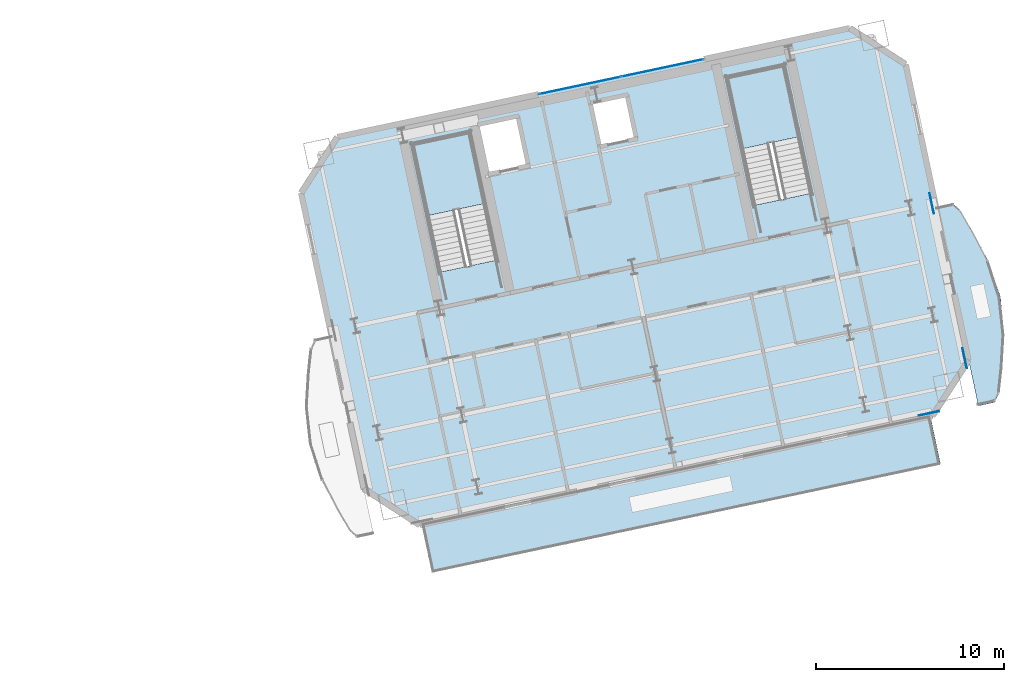
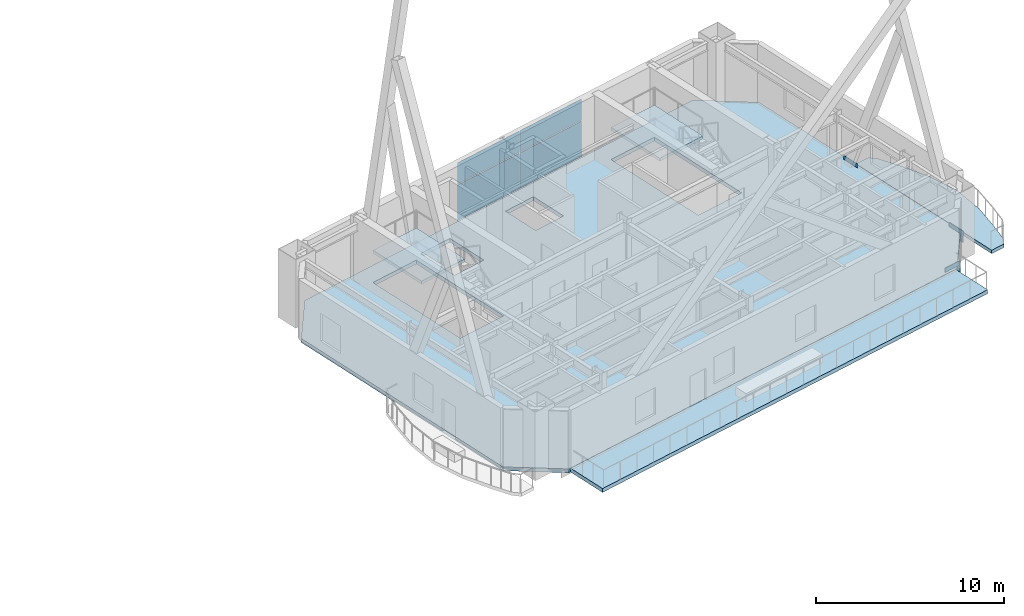
# One storey, part 11 of 22: 7 plates, 5 slabs, 3 elements without a shape of their own.
"""IFC4 building model written with IfcOpenShell, lengths in metres."""

from ifc_helpers import new_model, si_unit, direction, frame, origin, origin_2d, place, context, subcontext, project, spatial, polyline, rectangle, outline, extrude, material, layer, layer_set, type_object, element, aggregate, save


model = new_model("IFC4")

# Units and contexts
model_context = context("Model", 3, precision=1e-05, world=origin(), true_north=direction((0.0, 1.0)))
body_context = subcontext(model_context, "Body", "Model", "MODEL_VIEW")
ifc_project = project(units=[si_unit("LENGTHUNIT", "METRE"), si_unit("AREAUNIT", "SQUARE_METRE"), si_unit("VOLUMEUNIT", "CUBIC_METRE"), si_unit("PLANEANGLEUNIT", "RADIAN"), si_unit("MASSUNIT", "GRAM", prefix="KILO")], contexts=[model_context])

# Site, building, storey
site_placement = place(None, origin())
site = spatial("IfcSite", under=ifc_project, at=site_placement, CompositionType="ELEMENT")
building_placement = place(site_placement, origin())
building = spatial("IfcBuilding", under=site, at=building_placement, Name="Haevon Station Towers", CompositionType="ELEMENT")
storey_placement = place(building_placement, frame((0.0, 0.0, 133.800048828125)))
storey = spatial("IfcBuildingStorey", under=building, at=storey_placement, Name="L36", CompositionType="ELEMENT", Elevation=133.800048828125)

# Curtain wall, plates
ifc_material_1 = material(Name="Anodised aluminium and Low-E double glazing", Category="aluminium")
ifc_layer_1 = layer(ifc_material_1, 0.179931640625)
ifc_layer_set_1 = layer_set([ifc_layer_1], Name="Anodised aluminium and Low-E double glazing")
curtain_wall_type = type_object("IfcCurtainWallType", Name="CW-SYS5", PredefinedType="NOTDEFINED", material=ifc_layer_set_1)
curtain_wall_placement = place(storey_placement, origin())
curtain_wall = element("IfcCurtainWall", 1, at=curtain_wall_placement, inside=storey, type_object=curtain_wall_type, Name="L36 Curtain Wall CW-T2-L36-N", PredefinedType="NOTDEFINED")
ifc_material_2 = material(Name="Low-E double glazing", Category="glass")
ifc_layer_2 = layer(ifc_material_2, 0.028076171875)
ifc_layer_set_2 = layer_set([ifc_layer_2], Name="Low-E double glazing")
plate_type_1 = type_object("IfcPlateType", Name="CWP-GLZ28", PredefinedType="CURTAIN_PANEL", material=ifc_layer_set_2)
plate_1_placement = place(storey_placement, frame((106.224853515625, 49.254150390625, 0.06005859375), z_axis=(0.0, 0.0, 1.0), x_axis=(0.978147581095, 0.207911783211, 0.0)))
plate_1 = element("IfcPlate", 2, at=plate_1_placement, type_object=plate_type_1, Name="CW-SYS5 panel 1.1", PredefinedType="CURTAIN_PANEL", context=body_context, shape_type="SweptSolid", body=[
    extrude(rectangle(XDim=4.409912109375, YDim=0.028076171875, at=origin_2d()), origin(), (0.0, 0.0, 1.0), 2.309326171875),
])
plate_2_placement = place(storey_placement, frame((106.224853515625, 49.254150390625, 2.42919921875), z_axis=(0.0, 0.0, 1.0), x_axis=(0.978147581095, 0.207911783211, 0.0)))
plate_2 = element("IfcPlate", 3, at=plate_2_placement, type_object=plate_type_1, Name="CW-SYS5 panel 1.2", PredefinedType="CURTAIN_PANEL", context=body_context, shape_type="SweptSolid", body=[
    extrude(rectangle(XDim=4.409912109375, YDim=0.028076171875, at=origin_2d()), origin(), (0.0, 0.0, 1.0), 1.380615234375),
])
plate_3_placement = place(storey_placement, frame((110.59716796875, 50.18359375, 0.06005859375), z_axis=(0.0, 0.0, 1.0), x_axis=(0.978147581095, 0.207911783211, 0.0)))
plate_3 = element("IfcPlate", 4, at=plate_3_placement, type_object=plate_type_1, Name="CW-SYS5 panel 2.1", PredefinedType="CURTAIN_PANEL", context=body_context, shape_type="SweptSolid", body=[
    extrude(rectangle(XDim=4.409912109375, YDim=0.028076171875, at=origin_2d()), origin(), (0.0, 0.0, 1.0), 2.309326171875),
])
plate_4_placement = place(storey_placement, frame((110.59716796875, 50.18359375, 2.42919921875), z_axis=(0.0, 0.0, 1.0), x_axis=(0.978147581095, 0.207911783211, 0.0)))
plate_4 = element("IfcPlate", 5, at=plate_4_placement, type_object=plate_type_1, Name="CW-SYS5 panel 2.2", PredefinedType="CURTAIN_PANEL", context=body_context, shape_type="SweptSolid", body=[
    extrude(rectangle(XDim=4.409912109375, YDim=0.028076171875, at=origin_2d()), origin(), (0.0, 0.0, 1.0), 1.380615234375),
])
aggregate(curtain_wall, [plate_1, plate_2, plate_3, plate_4])

# Plates
ifc_material_3 = material(Name="PL-SPL1", Category="steel")
ifc_layer_3 = layer(ifc_material_3, 0.031982421875)
ifc_layer_set_3 = layer_set([ifc_layer_3], Name="PL-SPL1")
plate_type_2 = type_object("IfcPlateType", Name="PL-SPL1", PredefinedType="USERDEFINED", material=ifc_layer_set_3)
for number, where, z_axis, x_axis, name in (
    (6, (124.732421875, 31.851806640625, -0.4951171875), (0.0, 0.0, 1.0), (0.978147600734, 0.207911690818, 0.0), "PL-T2SPL-T05-S-2"),
    (7, (126.635009765625, 34.78125, -0.4951171875), (0.0, 0.0, 1.0), (-0.207911690818, 0.978147600734, 0.0), "PL-T2SPL-T05-E-1"),
    (8, (124.888427734375, 42.997802734375, -0.4951171875), (0.0, 0.0, 1.0), (-0.207911690818, 0.978147600734, 0.0), "PL-T2SPL-T05-E-2"),
):
    element("IfcPlate", number, at=place(storey_placement, frame(where, z_axis=z_axis, x_axis=x_axis)), inside=storey, type_object=plate_type_2, Name=name, ObjectType="SPLICE_PLATE", PredefinedType="USERDEFINED", context=body_context, shape_type="SweptSolid", body=[
        extrude(rectangle(XDim=1.10009765625, YDim=0.031982421875, at=origin_2d()), origin(), (0.0, 0.0, 1.0), 0.75),
    ])

# Slab
ifc_material_4 = material(Name="Concrete C40/50", Category="concrete")
ifc_layer_4 = layer(ifc_material_4, 0.219970703125)
ifc_layer_set_4 = layer_set([ifc_layer_4], Name="Concrete C40/50")
slab_type_1 = type_object("IfcSlabType", Name="SL-BALC220", PredefinedType="FLOOR", material=ifc_layer_set_4)
slab_1_placement = place(storey_placement, frame((0.0, 0.0, -0.219970703125)))
element("IfcSlab", 9, at=slab_1_placement, inside=storey, type_object=slab_type_1, Name="Tower 2 L36 East SCALLOPED BALCONY", PredefinedType="FLOOR", context=body_context, shape_type="SweptSolid", body=[
    extrude(outline(polyline([(127.361572265625, 32.252197265625), (128.224365234375, 32.435546875), (128.447509765625, 32.9033203125), (128.59228515625, 34.130615234375), (128.72265625, 35.949462890625), (128.541259765625, 38.023681640625), (127.863525390625, 39.9921875), (127.00439453125, 41.6005859375), (126.373046875, 42.6630859375), (125.97900390625, 42.99951171875), (125.1162109375, 42.816162109375), (127.361572265625, 32.252197265625)])), origin(), (0.0, 0.0, 1.0), 0.219970703125),
])

# Stair, slab
stair_type = type_object("IfcStairType", Name="STR-DL1450", PredefinedType="USERDEFINED", material=ifc_material_4)
stair_1_placement = place(storey_placement, origin())
stair_1 = element("IfcStair", 10, at=stair_1_placement, inside=storey, type_object=stair_type, Name="L36 Escape Stair ST3", ObjectType="TWO_RETURN_STAIR", PredefinedType="USERDEFINED")
ifc_layer_5 = layer(ifc_material_4, 0.199951171875)
ifc_layer_set_5 = layer_set([ifc_layer_5], Name="Concrete C40/50")
slab_type_2 = type_object("IfcSlabType", Name="SL-LND200", PredefinedType="LANDING", material=ifc_layer_set_5)
slab_2_placement = place(storey_placement, frame((0.0, 0.0, 1.89990234375)))
slab_2 = element("IfcSlab", 11, at=slab_2_placement, type_object=slab_type_2, Name="L36 ST3 Half Landing 1", PredefinedType="LANDING", context=body_context, shape_type="SweptSolid", body=[
    extrude(outline(polyline([(101.171630859375, 42.99072265625), (100.36572265625, 46.781982421875), (97.33349609375, 46.137451171875), (98.139404296875, 42.34619140625), (101.171630859375, 42.99072265625)])), origin(), (0.0, 0.0, 1.0), 0.199951171875),
])
aggregate(stair_1, [slab_2])

stair_2_placement = place(storey_placement, origin())
stair_2 = element("IfcStair", 12, at=stair_2_placement, inside=storey, type_object=stair_type, Name="L36 Escape Stair ST4", ObjectType="TWO_RETURN_STAIR", PredefinedType="USERDEFINED")
slab_3_placement = place(storey_placement, frame((0.0, 0.0, 1.89990234375)))
slab_3 = element("IfcSlab", 13, at=slab_3_placement, type_object=slab_type_2, Name="L36 ST4 Half Landing 1", PredefinedType="LANDING", context=body_context, shape_type="SweptSolid", body=[
    extrude(outline(polyline([(117.85888671875, 46.53759765625), (117.052978515625, 50.328857421875), (114.020751953125, 49.684326171875), (114.82666015625, 45.89306640625), (117.85888671875, 46.53759765625)])), origin(), (0.0, 0.0, 1.0), 0.199951171875),
])
aggregate(stair_2, [slab_3])

# Slabs
ifc_layer_6 = layer(ifc_material_4, 0.25)
ifc_layer_set_6 = layer_set([ifc_layer_6], Name="Concrete C40/50")
slab_type_3 = type_object("IfcSlabType", Name="SL-TERR250", PredefinedType="FLOOR", material=ifc_layer_set_6)
slab_4_placement = place(storey_placement, frame((0.0, 0.0, -0.25)))
element("IfcSlab", 14, at=slab_4_placement, inside=storey, type_object=slab_type_3, Name="Tower 2 L36 Sky Garden Terrace", PredefinedType="FLOOR", context=body_context, shape_type="SweptSolid", body=[
    extrude(outline(polyline([(98.35205078125, 23.45361328125), (125.348876953125, 29.19189453125), (124.81982421875, 31.68115234375), (97.822998046875, 25.94287109375), (98.35205078125, 23.45361328125)])), origin(), (0.0, 0.0, 1.0), 0.25),
])
ifc_layer_7 = layer(ifc_material_4, 0.25)
ifc_layer_set_7 = layer_set([ifc_layer_7], Name="Concrete C40/50")
slab_type_4 = type_object("IfcSlabType", Name="SL-TW250", PredefinedType="FLOOR", material=ifc_layer_set_7)
slab_5_placement = place(storey_placement, frame((0.0, 0.0, -0.25)))
element("IfcSlab", 15, at=slab_5_placement, inside=storey, type_object=slab_type_4, Name="SL-T2-L36", PredefinedType="FLOOR", context=body_context, shape_type="SweptSolid", body=[
    extrude(outline(polyline([(97.72412109375, 25.927001953125), (124.91650390625, 31.70703125), (126.84228515625, 34.672119140625), (123.505126953125, 50.371337890625), (120.5400390625, 52.296875), (93.347412109375, 46.51708984375), (91.421875, 43.5517578125), (94.759033203125, 27.8525390625), (97.72412109375, 25.927001953125)]), holes=[polyline([(101.8095703125, 39.98974609375), (100.36572265625, 46.781982421875), (97.33349609375, 46.137451171875), (98.77734375, 39.34521484375), (101.8095703125, 39.98974609375)]), polyline([(118.496826171875, 43.53662109375), (117.052978515625, 50.328857421875), (114.020751953125, 49.684326171875), (115.464599609375, 42.89208984375), (118.496826171875, 43.53662109375)]), polyline([(101.43212890625, 44.554931640625), (103.486328125, 44.99169921875), (102.9248046875, 47.632568359375), (100.870849609375, 47.196044921875), (101.43212890625, 44.554931640625)]), polyline([(107.259521484375, 45.998046875), (109.2158203125, 46.413818359375), (108.716796875, 48.761474609375), (106.760498046875, 48.345703125), (107.259521484375, 45.998046875)])]), origin(), (0.0, 0.0, 1.0), 0.25),
])

save(model, "model.ifc")
